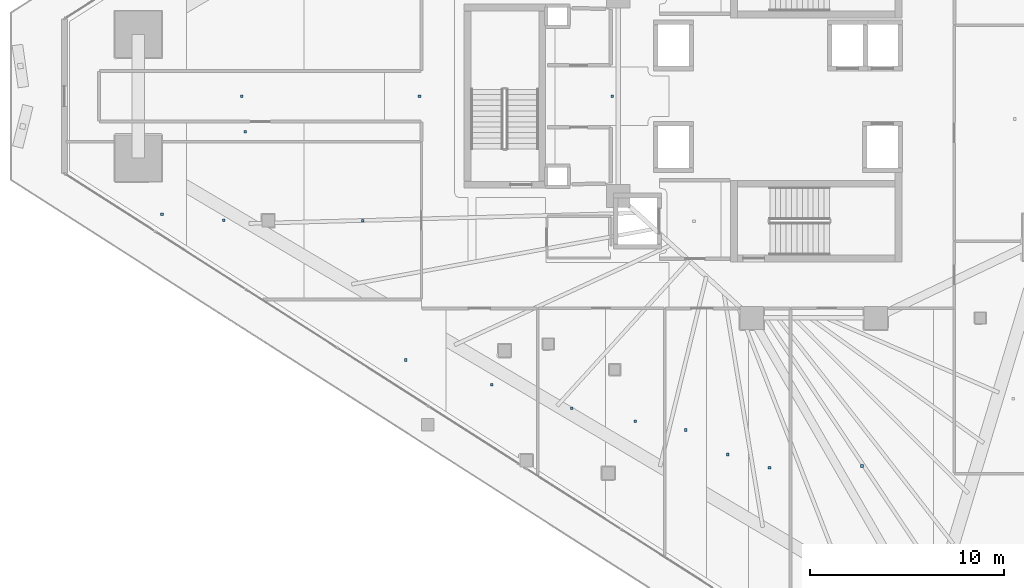
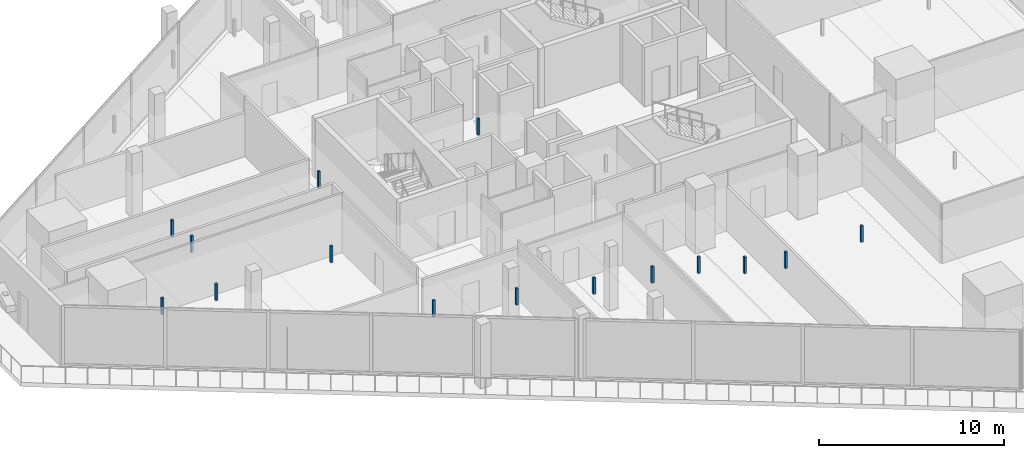
# One storey, part 33 of 46: 15 discrete accessories.
"""IFC4 building model written with IfcOpenShell, lengths in metres."""

from ifc_helpers import new_model, si_unit, direction, frame, origin, origin_2d, place, context, subcontext, project, spatial, rectangle, extrude, material, type_object, element, save


model = new_model("IFC4")

# Units and contexts
model_context = context("Model", 3, precision=1e-05, world=origin(), true_north=direction((0.0, 1.0)))
body_context = subcontext(model_context, "Body", "Model", "MODEL_VIEW")
ifc_project = project(units=[si_unit("LENGTHUNIT", "METRE"), si_unit("AREAUNIT", "SQUARE_METRE"), si_unit("VOLUMEUNIT", "CUBIC_METRE"), si_unit("PLANEANGLEUNIT", "RADIAN"), si_unit("MASSUNIT", "GRAM", prefix="KILO")], contexts=[model_context])

# Site, building, storey
site_placement = place(None, origin())
site = spatial("IfcSite", under=ifc_project, at=site_placement, CompositionType="ELEMENT")
building_placement = place(site_placement, origin())
building = spatial("IfcBuilding", under=site, at=building_placement, Name="Qorvath Tower", CompositionType="ELEMENT")
storey_placement = place(building_placement, frame((0.0, 0.0, 87.0)))
storey = spatial("IfcBuildingStorey", under=building, at=storey_placement, Name="L19", CompositionType="ELEMENT", Elevation=87.0)

# Discrete accessories
ifc_material = material(Name="Galvanised steel bracket", Category="steel")
discrete_accessory_type = type_object("IfcDiscreteAccessoryType", Name="DA-BRACKET", PredefinedType="BRACKET", material=ifc_material)
for number, where, z_axis, x_axis, name in (
    (1, (-49.93359375, 0.0, 2.860107421875), (0.0, 0.0, 1.0), (1.0, 0.0, 0.0), "Acoustic Ceiling Suspension Hanger T1-L19-007"),
    (2, (-40.763916015625, 0.000732421875, 2.860107421875), (0.0, 0.0, 1.0), (1.0, 0.0, 0.0), "Acoustic Ceiling Suspension Hanger T1-L19-008"),
    (3, (-30.813232421875, 0.0, 2.860107421875), (0.0, 0.0, 1.0), (1.0, 0.0, 0.0), "Acoustic Ceiling Suspension Hanger T1-L19-009"),
    (4, (-32.894287109375, -16.1103515625, 2.860107421875), (0.0, 0.0, 1.0), (1.0, 0.0, 0.0), "Acoustic Ceiling Suspension Hanger T1-L19-020"),
    (5, (-29.625244140625, -16.776123046875, 2.860107421875), (0.0, 0.0, 1.0), (1.0, 0.0, 0.0), "Acoustic Ceiling Suspension Hanger T1-L19-021"),
    (6, (-27.00927734375, -17.235595703125, 2.860107421875), (0.0, 0.0, 1.0), (1.0, 0.0, 0.0), "Acoustic Ceiling Suspension Hanger T1-L19-022"),
    (7, (-24.85009765625, -18.4990234375, 2.860107421875), (0.0, 0.0, 1.0), (1.0, 0.0, 0.0), "Acoustic Ceiling Suspension Hanger T1-L19-023"),
    (8, (-22.69091796875, -19.18603515625, 2.860107421875), (0.0, 0.0, 1.0), (1.0, 0.0, 0.0), "Acoustic Ceiling Suspension Hanger T1-L19-024"),
    (9, (-17.907470703125, -19.09912109375, 2.860107421875), (0.0, 0.0, 1.0), (1.0, 0.0, 0.0), "Acoustic Ceiling Suspension Hanger T1-L19-025"),
    (10, (-41.47021484375, -13.624755859375, 2.860107421875), (0.0, 0.0, 1.0), (1.0, 0.0, 0.0), "Acoustic Ceiling Suspension Hanger T1-L19-037"),
    (11, (-37.025390625, -14.903564453125, 2.860107421875), (0.0, 0.0, 1.0), (1.0, 0.0, 0.0), "Acoustic Ceiling Suspension Hanger T1-L19-038"),
    (12, (-54.060546875, -6.0908203125, 2.860107421875), (0.0, 0.0, 1.0), (1.0, 0.0, 0.0), "Acoustic Ceiling Suspension Hanger T1-L19-039"),
    (13, (-50.86767578125, -6.4033203125, 2.860107421875), (0.0, 0.0, 1.0), (1.0, 0.0, 0.0), "Acoustic Ceiling Suspension Hanger T1-L19-040"),
    (14, (-43.6923828125, -6.4228515625, 2.860107421875), (0.0, 0.0, 1.0), (1.0, 0.0, 0.0), "Acoustic Ceiling Suspension Hanger T1-L19-041"),
    (15, (-49.751220703125, -1.829833984375, 2.860107421875), (0.0, 0.0, 1.0), (1.0, 0.0, 0.0), "Acoustic Ceiling Suspension Hanger T1-L19-044"),
):
    element("IfcDiscreteAccessory", number, at=place(storey_placement, frame(where, z_axis=z_axis, x_axis=x_axis)), inside=storey, type_object=discrete_accessory_type, Name=name, PredefinedType="NOTDEFINED", context=body_context, shape_type="SweptSolid", body=[
        extrude(rectangle(XDim=0.139892578125, YDim=0.139892578125, at=origin_2d()), origin(), (0.0, 0.0, 1.0), 1.08984375),
    ])

save(model, "model.ifc")
